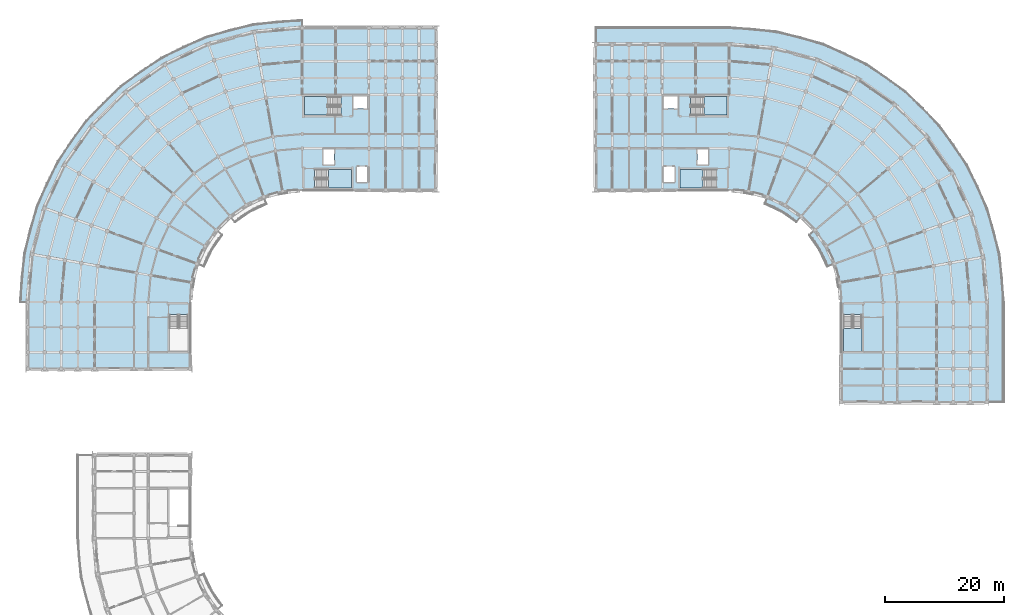
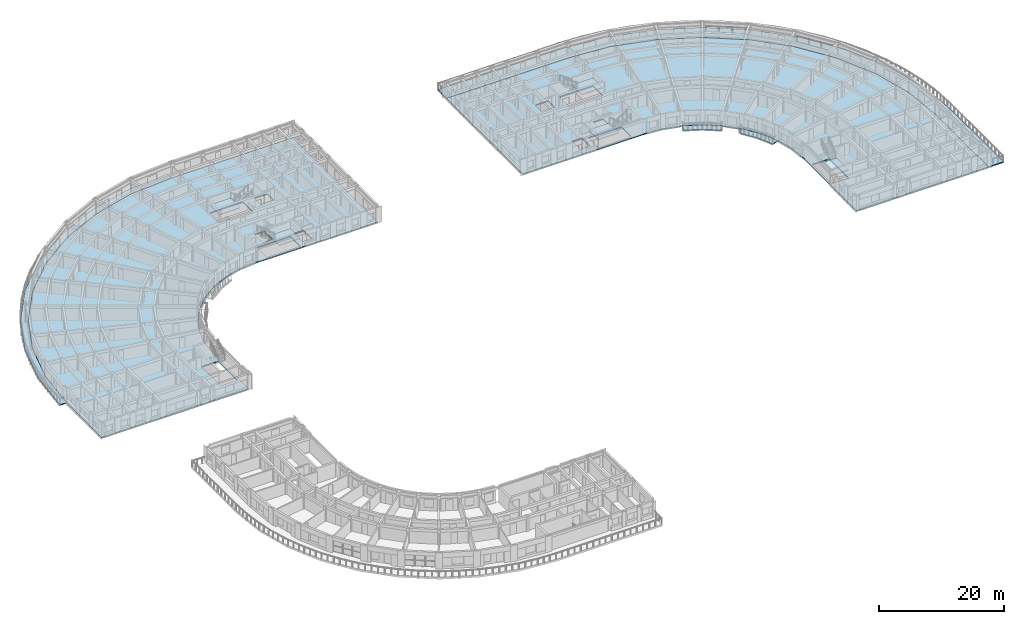
# One storey, part 14 of 53: 11 slabs, 5 elements without a shape of their own.
"""IFC4 building model written with IfcOpenShell, lengths in metres."""

from ifc_helpers import new_model, si_unit, direction, frame, origin, place, context, subcontext, project, spatial, polyline, outline, extrude, material, layer, layer_set, type_object, element, aggregate, save


model = new_model("IFC4")

# Units and contexts
model_context = context("Model", 3, precision=1e-05, world=origin(), true_north=direction((0.0, 1.0)))
body_context = subcontext(model_context, "Body", "Model", "MODEL_VIEW")
ifc_project = project(units=[si_unit("LENGTHUNIT", "METRE"), si_unit("AREAUNIT", "SQUARE_METRE"), si_unit("VOLUMEUNIT", "CUBIC_METRE"), si_unit("PLANEANGLEUNIT", "RADIAN"), si_unit("MASSUNIT", "GRAM", prefix="KILO")], contexts=[model_context])

# Site, building, storey
site_placement = place(None, origin())
site = spatial("IfcSite", under=ifc_project, at=site_placement, CompositionType="ELEMENT")
building_placement = place(site_placement, origin())
building = spatial("IfcBuilding", under=site, at=building_placement, Name="Kiranvali Square Residences", CompositionType="ELEMENT")
storey_placement = place(building_placement, frame((0.0, 0.0, 30.75)))
storey = spatial("IfcBuildingStorey", under=building, at=storey_placement, Name="L09", CompositionType="ELEMENT", Elevation=30.75)

# Slabs
ifc_material = material(Name="Concrete M35 (35 MPa)", Category="concrete")
ifc_layer_1 = layer(ifc_material, 0.179931640625)
ifc_layer_set_1 = layer_set([ifc_layer_1], Name="Concrete M35 (35 MPa)")
slab_type_1 = type_object("IfcSlabType", Name="SLB-BAL-180", PredefinedType="FLOOR", material=ifc_layer_set_1)
slab_1_placement = place(storey_placement, frame((0.0, 0.0, -0.179931640625)))
element("IfcSlab", 1, at=slab_1_placement, inside=storey, type_object=slab_type_1, Name="Block A L09 continuous curved corner balcony slab", PredefinedType="FLOOR", context=body_context, shape_type="SweptSolid", body=[
    extrude(outline(polyline([(48.199951171875, 135.050048828125), (39.9951171875, 134.332275390625), (32.03955078125, 132.200439453125), (24.574951171875, 128.7197265625), (17.828369140625, 123.99560546875), (12.00439453125, 118.171630859375), (7.2802734375, 111.425048828125), (3.799560546875, 103.96044921875), (1.667724609375, 96.0048828125), (0.949951171875, 87.800048828125), (2.199951171875, 87.800048828125), (2.89892578125, 95.787841796875), (4.97412109375, 103.532958984375), (8.36279296875, 110.800048828125), (12.9619140625, 117.3681640625), (18.6318359375, 123.0380859375), (25.199951171875, 127.63720703125), (32.467041015625, 131.02587890625), (40.212158203125, 133.10107421875), (48.199951171875, 133.800048828125), (48.199951171875, 135.050048828125)])), origin(), (0.0, 0.0, 1.0), 0.179931640625),
])
ifc_layer_2 = layer(ifc_material, 0.219970703125)
ifc_layer_set_2 = layer_set([ifc_layer_2], Name="Concrete M35 (35 MPa)")
slab_type_2 = type_object("IfcSlabType", Name="SLB-FLR-220", PredefinedType="FLOOR", material=ifc_layer_set_2)
slab_2_placement = place(storey_placement, frame((0.0, 0.0, -0.219970703125)))
element("IfcSlab", 2, at=slab_2_placement, inside=storey, type_object=slab_type_2, Name="Block A L09 structural floor slab", PredefinedType="FLOOR", context=body_context, shape_type="SweptSolid", body=[
    extrude(outline(polyline([(70.60009765625, 106.60009765625), (70.60009765625, 133.800048828125), (48.199951171875, 133.800048828125), (40.212158203125, 133.10107421875), (32.467041015625, 131.02587890625), (25.199951171875, 127.63720703125), (18.6318359375, 123.0380859375), (12.9619140625, 117.3681640625), (8.36279296875, 110.800048828125), (4.97412109375, 103.532958984375), (2.89892578125, 95.787841796875), (2.199951171875, 87.800048828125), (2.199951171875, 76.60009765625), (29.39990234375, 76.60009765625), (29.39990234375, 87.800048828125), (29.685546875, 91.064697265625), (30.53369140625, 94.22998046875), (31.918701171875, 97.199951171875), (33.79833984375, 99.884521484375), (36.115478515625, 102.20166015625), (38.800048828125, 104.081298828125), (41.77001953125, 105.46630859375), (44.935302734375, 106.314453125), (48.199951171875, 106.60009765625), (70.60009765625, 106.60009765625)]), holes=[polyline([(56.800048828125, 120.25), (59.25, 120.25), (59.25, 122.25), (56.800048828125, 122.25), (56.800048828125, 120.25)]), polyline([(57.35009765625, 107.949951171875), (59.14990234375, 107.949951171875), (59.14990234375, 110.550048828125), (57.35009765625, 110.550048828125), (57.35009765625, 107.949951171875)]), polyline([(51.75, 110.85009765625), (53.550048828125, 110.85009765625), (53.550048828125, 113.449951171875), (51.75, 113.449951171875), (51.75, 110.85009765625)]), polyline([(54.699951171875, 122.25), (48.550048828125, 122.25), (48.550048828125, 119.14990234375), (54.699951171875, 119.14990234375), (54.699951171875, 122.25)]), polyline([(50.300048828125, 106.949951171875), (56.449951171875, 106.949951171875), (56.449951171875, 110.050048828125), (50.300048828125, 110.050048828125), (50.300048828125, 106.949951171875)]), polyline([(25.949951171875, 85.699951171875), (25.949951171875, 79.550048828125), (29.050048828125, 79.550048828125), (29.050048828125, 85.699951171875), (25.949951171875, 85.699951171875)])]), origin(), (0.0, 0.0, 1.0), 0.219970703125),
])
slab_3_placement = place(storey_placement, frame((0.0, 0.0, -0.219970703125)))
element("IfcSlab", 3, at=slab_3_placement, inside=storey, type_object=slab_type_2, Name="Block B L09 structural floor slab", PredefinedType="FLOOR", context=body_context, shape_type="SweptSolid", body=[
    extrude(outline(polyline([(119.800048828125, 106.60009765625), (123.064697265625, 106.314453125), (126.22998046875, 105.46630859375), (129.199951171875, 104.081298828125), (131.884521484375, 102.20166015625), (134.20166015625, 99.884521484375), (136.081298828125, 97.199951171875), (137.46630859375, 94.22998046875), (138.314453125, 91.064697265625), (138.60009765625, 87.800048828125), (138.60009765625, 71.0), (163.0, 71.0), (163.0, 87.800048828125), (162.34375, 95.301513671875), (160.394775390625, 102.5751953125), (157.21240234375, 109.39990234375), (152.89306640625, 115.568359375), (147.568359375, 120.89306640625), (141.39990234375, 125.21240234375), (134.5751953125, 128.394775390625), (127.301513671875, 130.34375), (119.800048828125, 131.0), (97.39990234375, 131.0), (97.39990234375, 106.60009765625), (119.800048828125, 106.60009765625)]), holes=[polyline([(108.75, 120.25), (111.199951171875, 120.25), (111.199951171875, 122.25), (108.75, 122.25), (108.75, 120.25)]), polyline([(108.85009765625, 107.949951171875), (110.64990234375, 107.949951171875), (110.64990234375, 110.550048828125), (108.85009765625, 110.550048828125), (108.85009765625, 107.949951171875)]), polyline([(114.449951171875, 110.85009765625), (116.25, 110.85009765625), (116.25, 113.449951171875), (114.449951171875, 113.449951171875), (114.449951171875, 110.85009765625)]), polyline([(113.300048828125, 119.14990234375), (119.449951171875, 119.14990234375), (119.449951171875, 122.25), (113.300048828125, 122.25), (113.300048828125, 119.14990234375)]), polyline([(117.699951171875, 110.050048828125), (111.550048828125, 110.050048828125), (111.550048828125, 106.949951171875), (117.699951171875, 106.949951171875), (117.699951171875, 110.050048828125)]), polyline([(138.949951171875, 85.699951171875), (138.949951171875, 79.550048828125), (142.050048828125, 79.550048828125), (142.050048828125, 85.699951171875), (138.949951171875, 85.699951171875)])]), origin(), (0.0, 0.0, 1.0), 0.219970703125),
])
ifc_layer_3 = layer(ifc_material, 0.169921875)
ifc_layer_set_3 = layer_set([ifc_layer_3], Name="Concrete M35 (35 MPa)")
slab_type_3 = type_object("IfcSlabType", Name="SLB-GBAL-170", PredefinedType="FLOOR", material=ifc_layer_set_3)
slab_4_placement = place(storey_placement, frame((0.0, 0.0, -0.179931640625)))
element("IfcSlab", 4, at=slab_4_placement, inside=storey, type_object=slab_type_3, Name="Block B L09 garden balcony slab 1", PredefinedType="FLOOR", context=body_context, shape_type="SweptSolid", body=[
    extrude(outline(polyline([(125.802490234375, 104.29150390625), (128.574951171875, 102.998779296875), (131.080810546875, 101.244140625), (131.884521484375, 102.20166015625), (129.199951171875, 104.081298828125), (126.22998046875, 105.46630859375), (125.802490234375, 104.29150390625)])), origin(), (0.0, 0.0, 1.0), 0.179931640625),
])
slab_5_placement = place(storey_placement, frame((0.0, 0.0, -0.179931640625)))
element("IfcSlab", 5, at=slab_5_placement, inside=storey, type_object=slab_type_3, Name="Block B L09 garden balcony slab 2", PredefinedType="FLOOR", context=body_context, shape_type="SweptSolid", body=[
    extrude(outline(polyline([(133.244140625, 99.080810546875), (134.998779296875, 96.574951171875), (136.29150390625, 93.802490234375), (137.46630859375, 94.22998046875), (136.081298828125, 97.199951171875), (134.20166015625, 99.884521484375), (133.244140625, 99.080810546875)])), origin(), (0.0, 0.0, 1.0), 0.179931640625),
])

# Stair, slab
stair_type = type_object("IfcStairType", Name="ST-CORE-1700", PredefinedType="HALF_TURN_STAIR", material=ifc_material)
stair_1_placement = place(storey_placement, origin())
stair_1 = element("IfcStair", 6, at=stair_1_placement, inside=storey, type_object=stair_type, Name="L09 Block A Firefighting Exit Stair 1", PredefinedType="HALF_TURN_STAIR")
ifc_layer_4 = layer(ifc_material, 0.199951171875)
ifc_layer_set_4 = layer_set([ifc_layer_4], Name="Concrete M35 (35 MPa)")
slab_type_4 = type_object("IfcSlabType", Name="SLB-LND-200", PredefinedType="LANDING", material=ifc_layer_set_4)
slab_6_placement = place(storey_placement, frame((0.0, 0.0, 1.375)))
slab_6 = element("IfcSlab", 7, at=slab_6_placement, type_object=slab_type_4, Name="ST-A1 landing 1", PredefinedType="LANDING", context=body_context, shape_type="SweptSolid", body=[
    extrude(outline(polyline([(52.419921875, 122.25), (48.550048828125, 122.25), (48.550048828125, 119.14990234375), (52.419921875, 119.14990234375), (52.419921875, 122.25)])), origin(), (0.0, 0.0, 1.0), 0.199951171875),
])
aggregate(stair_1, [slab_6])

stair_2_placement = place(storey_placement, origin())
stair_2 = element("IfcStair", 8, at=stair_2_placement, inside=storey, type_object=stair_type, Name="L09 Block A Protected Exit Stair 2", PredefinedType="HALF_TURN_STAIR")
slab_7_placement = place(storey_placement, frame((0.0, 0.0, 1.375)))
slab_7 = element("IfcSlab", 9, at=slab_7_placement, type_object=slab_type_4, Name="ST-A2 landing 1", PredefinedType="LANDING", context=body_context, shape_type="SweptSolid", body=[
    extrude(outline(polyline([(52.580078125, 106.949951171875), (56.449951171875, 106.949951171875), (56.449951171875, 110.050048828125), (52.580078125, 110.050048828125), (52.580078125, 106.949951171875)])), origin(), (0.0, 0.0, 1.0), 0.199951171875),
])
aggregate(stair_2, [slab_7])

stair_3_placement = place(storey_placement, origin())
stair_3 = element("IfcStair", 10, at=stair_3_placement, inside=storey, type_object=stair_type, Name="L09 Block B Firefighting Exit Stair 1", PredefinedType="HALF_TURN_STAIR")
slab_8_placement = place(storey_placement, frame((0.0, 0.0, 1.375)))
slab_8 = element("IfcSlab", 11, at=slab_8_placement, type_object=slab_type_4, Name="ST-B1 landing 1", PredefinedType="LANDING", context=body_context, shape_type="SweptSolid", body=[
    extrude(outline(polyline([(115.580078125, 119.14990234375), (119.449951171875, 119.14990234375), (119.449951171875, 122.25), (115.580078125, 122.25), (115.580078125, 119.14990234375)])), origin(), (0.0, 0.0, 1.0), 0.199951171875),
])
aggregate(stair_3, [slab_8])

stair_4_placement = place(storey_placement, origin())
stair_4 = element("IfcStair", 12, at=stair_4_placement, inside=storey, type_object=stair_type, Name="L09 Block B Protected Exit Stair 2", PredefinedType="HALF_TURN_STAIR")
slab_9_placement = place(storey_placement, frame((0.0, 0.0, 1.375)))
slab_9 = element("IfcSlab", 13, at=slab_9_placement, type_object=slab_type_4, Name="ST-B2 landing 1", PredefinedType="LANDING", context=body_context, shape_type="SweptSolid", body=[
    extrude(outline(polyline([(115.419921875, 110.050048828125), (111.550048828125, 110.050048828125), (111.550048828125, 106.949951171875), (115.419921875, 106.949951171875), (115.419921875, 110.050048828125)])), origin(), (0.0, 0.0, 1.0), 0.199951171875),
])
aggregate(stair_4, [slab_9])

stair_5_placement = place(storey_placement, origin())
stair_5 = element("IfcStair", 14, at=stair_5_placement, inside=storey, type_object=stair_type, Name="L09 Block B Wing Protected Exit Stair 3", PredefinedType="HALF_TURN_STAIR")
slab_10_placement = place(storey_placement, frame((0.0, 0.0, 1.375)))
slab_10 = element("IfcSlab", 15, at=slab_10_placement, type_object=slab_type_4, Name="ST-B3 landing 1", PredefinedType="LANDING", context=body_context, shape_type="SweptSolid", body=[
    extrude(outline(polyline([(138.949951171875, 83.419921875), (138.949951171875, 79.550048828125), (142.050048828125, 79.550048828125), (142.050048828125, 83.419921875), (138.949951171875, 83.419921875)])), origin(), (0.0, 0.0, 1.0), 0.199951171875),
])
aggregate(stair_5, [slab_10])

# Slab
ifc_layer_5 = layer(ifc_material, 0.18994140625)
ifc_layer_set_5 = layer_set([ifc_layer_5], Name="Concrete M35 (35 MPa)")
slab_type_5 = type_object("IfcSlabType", Name="SLB-TER-190", PredefinedType="FLOOR", material=ifc_layer_set_5)
slab_11_placement = place(storey_placement, frame((0.0, 0.0, -0.179931640625)))
element("IfcSlab", 16, at=slab_11_placement, inside=storey, type_object=slab_type_5, Name="Block B L09 stepped curved corner balcony terrace slab", PredefinedType="FLOOR", context=body_context, shape_type="SweptSolid", body=[
    extrude(outline(polyline([(97.39990234375, 131.0), (119.800048828125, 131.0), (127.301513671875, 130.34375), (134.5751953125, 128.394775390625), (141.39990234375, 125.21240234375), (147.568359375, 120.89306640625), (152.89306640625, 115.568359375), (157.21240234375, 109.39990234375), (160.394775390625, 102.5751953125), (162.34375, 95.301513671875), (163.0, 87.800048828125), (163.0, 71.0), (165.800048828125, 71.0), (165.800048828125, 87.800048828125), (165.10107421875, 95.787841796875), (163.02587890625, 103.532958984375), (159.63720703125, 110.800048828125), (155.0380859375, 117.3681640625), (149.3681640625, 123.0380859375), (142.800048828125, 127.63720703125), (135.532958984375, 131.02587890625), (127.787841796875, 133.10107421875), (119.800048828125, 133.800048828125), (97.39990234375, 133.800048828125), (97.39990234375, 131.0)])), origin(), (0.0, 0.0, 1.0), 0.179931640625),
])

save(model, "model.ifc")
